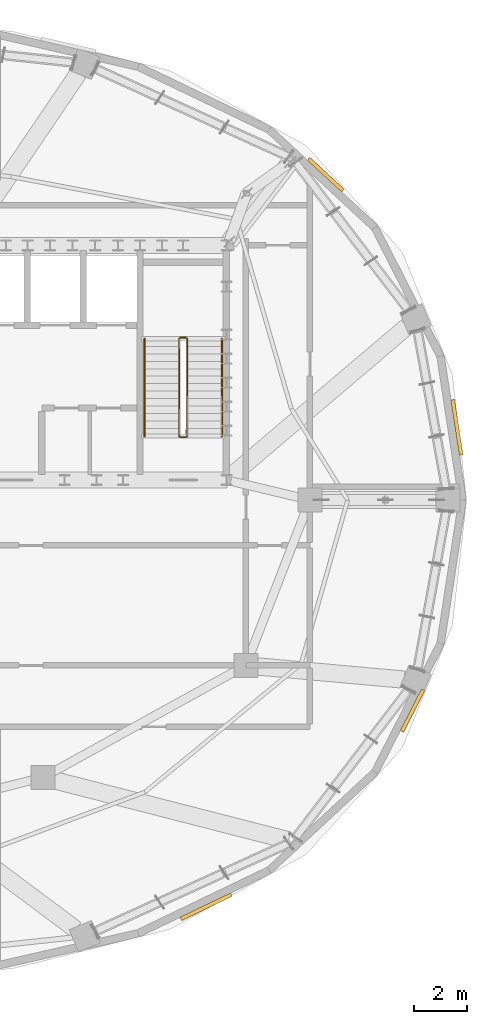
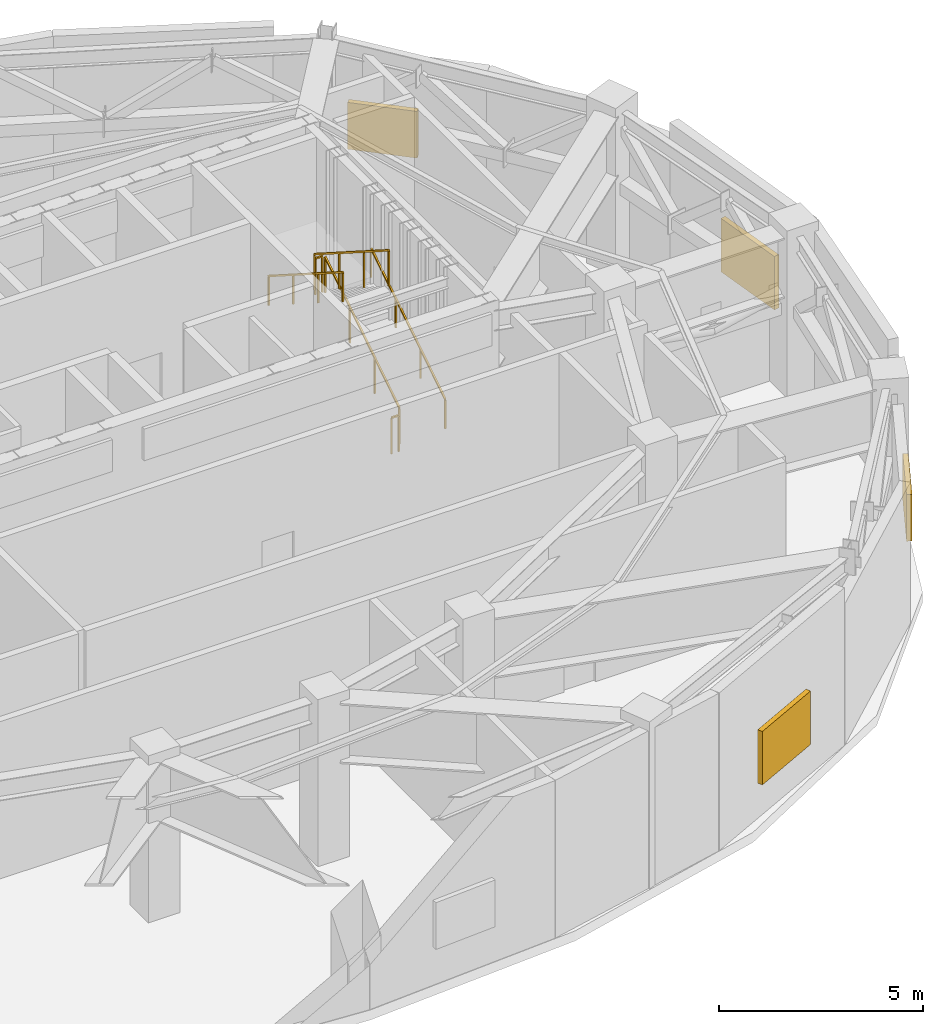
# One storey, part 14 of 15: 6 railings, 4 shading devices.
"""IFC4 building model written with IfcOpenShell, lengths in metres."""

from ifc_helpers import new_model, si_unit, direction, frame, origin, origin_2d, place, context, subcontext, project, spatial, rectangle, extrude, material, type_object, element, save


model = new_model("IFC4")

# Units and contexts
model_context = context("Model", 3, precision=1e-05, world=origin(), true_north=direction((0.0, 1.0)))
body_context = subcontext(model_context, "Body", "Model", "MODEL_VIEW")
ifc_project = project(units=[si_unit("LENGTHUNIT", "METRE"), si_unit("AREAUNIT", "SQUARE_METRE"), si_unit("VOLUMEUNIT", "CUBIC_METRE"), si_unit("PLANEANGLEUNIT", "RADIAN"), si_unit("MASSUNIT", "GRAM", prefix="KILO")], contexts=[model_context])

# Site, building, storey
site_placement = place(None, origin())
site = spatial("IfcSite", under=ifc_project, at=site_placement, CompositionType="ELEMENT")
building_placement = place(site_placement, origin())
building = spatial("IfcBuilding", under=site, at=building_placement, Name="Haldorwick Loom Tower", CompositionType="ELEMENT")
storey_placement = place(building_placement, frame((0.0, 0.0, 286.5)))
storey = spatial("IfcBuildingStorey", under=building, at=storey_placement, Name="L77", CompositionType="ELEMENT", Elevation=286.5)

# Railings
ifc_material_1 = material(Name="Steel CSA G40.21 350W", Category="steel")
railing_type_1 = type_object("IfcRailingType", Name="ARC-RLG-GUARD112", PredefinedType="GUARDRAIL", material=ifc_material_1)
railing_1_placement = place(storey_placement, frame((48.60009765625, 28.39990234375, 0.178466796875)))
element("IfcRailing", 1, at=railing_1_placement, inside=storey, type_object=railing_type_1, Name="L77 ST-02 stair guard 1", PredefinedType="GUARDRAIL", context=body_context, shape_type="SweptSolid", body=[
    extrude(rectangle(XDim=0.048095703125, YDim=0.048095703125, at=origin_2d()), frame((0.0, 0.0, 1.076171875), z_axis=(0.0, 0.843127859045, 0.537713132908), x_axis=(-1.0, 0.0, 0.0)), (0.0, 0.0, 1.0), 4.3173828125),
    extrude(rectangle(XDim=0.0419921875, YDim=0.0419921875, at=origin_2d()), origin(), (0.0, 0.0, 1.0), 1.052001953125),
    extrude(rectangle(XDim=0.0419921875, YDim=0.0419921875, at=origin_2d()), frame((0.0, 1.21337890625, 0.77392578125)), (0.0, 0.0, 1.0), 1.052001953125),
    extrude(rectangle(XDim=0.0419921875, YDim=0.0419921875, at=origin_2d()), frame((0.0, 2.4267578125, 1.547607421875)), (0.0, 0.0, 1.0), 1.052001953125),
    extrude(rectangle(XDim=0.0419921875, YDim=0.0419921875, at=origin_2d()), frame((0.0, 3.64013671875, 2.321533203125)), (0.0, 0.0, 1.0), 1.052001953125),
])
railing_2_placement = place(storey_placement, frame((48.550048828125, 32.090087890625, 2.5)))
element("IfcRailing", 2, at=railing_2_placement, inside=storey, type_object=railing_type_1, Name="L77 ST-02 stair guard 2", PredefinedType="GUARDRAIL", context=body_context, shape_type="SweptSolid", body=[
    extrude(rectangle(XDim=0.048095703125, YDim=0.048095703125, at=origin_2d()), frame((0.0, 0.0, 1.076171875), z_axis=(-1.0, 0.0, 0.0), x_axis=(0.0, -1.0, 0.0)), (0.0, 0.0, 1.0), 0.199951171875),
    extrude(rectangle(XDim=0.0419921875, YDim=0.0419921875, at=origin_2d()), origin(), (0.0, 0.0, 1.0), 1.052001953125),
    extrude(rectangle(XDim=0.0419921875, YDim=0.0419921875, at=origin_2d()), frame((-0.199951171875, 0.0, 0.0)), (0.0, 0.0, 1.0), 1.052001953125),
])
railing_3_placement = place(storey_placement, frame((48.300048828125, 32.0400390625, 2.678466796875)))
element("IfcRailing", 3, at=railing_3_placement, inside=storey, type_object=railing_type_1, Name="L77 ST-02 stair guard 3", PredefinedType="GUARDRAIL", context=body_context, shape_type="SweptSolid", body=[
    extrude(rectangle(XDim=0.048095703125, YDim=0.048095703125, at=origin_2d()), frame((0.0, 0.0, 1.076171875), z_axis=(0.0, -0.843127859045, 0.537713132908), x_axis=(1.0, 0.0, 0.0)), (0.0, 0.0, 1.0), 4.3173828125),
    extrude(rectangle(XDim=0.0419921875, YDim=0.0419921875, at=origin_2d()), origin(), (0.0, 0.0, 1.0), 1.052001953125),
    extrude(rectangle(XDim=0.0419921875, YDim=0.0419921875, at=origin_2d()), frame((0.0, -1.21337890625, 0.77392578125)), (0.0, 0.0, 1.0), 1.052001953125),
    extrude(rectangle(XDim=0.0419921875, YDim=0.0419921875, at=origin_2d()), frame((0.0, -2.4267578125, 1.547607421875)), (0.0, 0.0, 1.0), 1.052001953125),
    extrude(rectangle(XDim=0.0419921875, YDim=0.0419921875, at=origin_2d()), frame((0.0, -3.64013671875, 2.321533203125)), (0.0, 0.0, 1.0), 1.052001953125),
])
railing_4_placement = place(storey_placement, frame((48.550048828125, 28.35009765625, 0.0)))
element("IfcRailing", 4, at=railing_4_placement, inside=storey, type_object=railing_type_1, Name="L77 ST-02 stair guard 4", PredefinedType="GUARDRAIL", context=body_context, shape_type="SweptSolid", body=[
    extrude(rectangle(XDim=0.048095703125, YDim=0.048095703125, at=origin_2d()), frame((0.0, 0.0, 1.076171875), z_axis=(-1.0, 0.0, 0.0), x_axis=(0.0, -1.0, 0.0)), (0.0, 0.0, 1.0), 0.199951171875),
    extrude(rectangle(XDim=0.0419921875, YDim=0.0419921875, at=origin_2d()), origin(), (0.0, 0.0, 1.0), 1.052001953125),
    extrude(rectangle(XDim=0.0419921875, YDim=0.0419921875, at=origin_2d()), frame((-0.199951171875, 0.0, 0.0)), (0.0, 0.0, 1.0), 1.052001953125),
])
railing_type_2 = type_object("IfcRailingType", Name="ARC-RLG-HAND092", PredefinedType="HANDRAIL", material=ifc_material_1)
railing_5_placement = place(storey_placement, frame((49.89990234375, 28.39990234375, 0.178466796875)))
element("IfcRailing", 5, at=railing_5_placement, inside=storey, type_object=railing_type_2, Name="L77 ST-02 stair handrail 1", PredefinedType="HANDRAIL", context=body_context, shape_type="SweptSolid", body=[
    extrude(rectangle(XDim=0.048095703125, YDim=0.048095703125, at=origin_2d()), frame((0.0, 0.0, 0.8759765625), z_axis=(0.0, 0.843127859045, 0.537713132908), x_axis=(-1.0, 0.0, 0.0)), (0.0, 0.0, 1.0), 4.3173828125),
    extrude(rectangle(XDim=0.0419921875, YDim=0.0419921875, at=origin_2d()), origin(), (0.0, 0.0, 1.0), 0.851806640625),
    extrude(rectangle(XDim=0.0419921875, YDim=0.0419921875, at=origin_2d()), frame((0.0, 1.21337890625, 0.77392578125)), (0.0, 0.0, 1.0), 0.851806640625),
    extrude(rectangle(XDim=0.0419921875, YDim=0.0419921875, at=origin_2d()), frame((0.0, 2.4267578125, 1.547607421875)), (0.0, 0.0, 1.0), 0.851806640625),
    extrude(rectangle(XDim=0.0419921875, YDim=0.0419921875, at=origin_2d()), frame((0.0, 3.64013671875, 2.321533203125)), (0.0, 0.0, 1.0), 0.851806640625),
])
railing_6_placement = place(storey_placement, frame((47.0, 32.0400390625, 2.678466796875)))
element("IfcRailing", 6, at=railing_6_placement, inside=storey, type_object=railing_type_2, Name="L77 ST-02 stair handrail 2", PredefinedType="HANDRAIL", context=body_context, shape_type="SweptSolid", body=[
    extrude(rectangle(XDim=0.048095703125, YDim=0.048095703125, at=origin_2d()), frame((0.0, 0.0, 0.8759765625), z_axis=(0.0, -0.843127859045, 0.537713132908), x_axis=(1.0, 0.0, 0.0)), (0.0, 0.0, 1.0), 4.3173828125),
    extrude(rectangle(XDim=0.0419921875, YDim=0.0419921875, at=origin_2d()), origin(), (0.0, 0.0, 1.0), 0.851806640625),
    extrude(rectangle(XDim=0.0419921875, YDim=0.0419921875, at=origin_2d()), frame((0.0, -1.21337890625, 0.77392578125)), (0.0, 0.0, 1.0), 0.851806640625),
    extrude(rectangle(XDim=0.0419921875, YDim=0.0419921875, at=origin_2d()), frame((0.0, -2.4267578125, 1.547607421875)), (0.0, 0.0, 1.0), 0.851806640625),
    extrude(rectangle(XDim=0.0419921875, YDim=0.0419921875, at=origin_2d()), frame((0.0, -3.64013671875, 2.321533203125)), (0.0, 0.0, 1.0), 0.851806640625),
])

# Shading devices
ifc_material_2 = material(Name="Extruded Anodized Aluminium Weather Louvre", Category="aluminium")
shading_device_type_1 = type_object("IfcShadingDeviceType", Name="ARC-SHD-LOUVRE", PredefinedType="JALOUSIE", material=ifc_material_2)
for number, where, z_axis, x_axis, name in (
    (7, (58.7119140625, 28.722900390625, 1.050048828125), (0.0, 0.0, 1.0), (-0.151260820247, 0.988493886809, 0.0), "L77 Mechanical Intake Weather Louvre 1"),
    (8, (49.30859375, 10.750732421875, 1.050048828125), (0.0, 0.0, 1.0), (0.901077021322, 0.433659084588, 0.0), "L77 Mechanical Intake Weather Louvre 21"),
):
    element("IfcShadingDevice", number, at=place(storey_placement, frame(where, z_axis=z_axis, x_axis=x_axis)), inside=storey, type_object=shading_device_type_1, Name=name, PredefinedType="JALOUSIE", context=body_context, shape_type="SweptSolid", body=[
        extrude(rectangle(XDim=2.10009765625, YDim=0.139892578125, at=origin_2d()), origin(), (0.0, 0.0, 1.0), 1.60009765625),
    ])
shading_device_type_2 = type_object("IfcShadingDeviceType", Name="ARC-SHD-LOUVRE2", PredefinedType="JALOUSIE", material=ifc_material_2)
for number, where, z_axis, x_axis, name in (
    (9, (53.794189453125, 38.195068359375, 1.150146484375), (0.0, 0.0, 1.0), (-0.733729864503, 0.679441304262, 0.0), "L77 Mechanical Intake Weather Louvre 3"),
    (10, (57.05078125, 18.11279296875, 1.150146484375), (0.0, 0.0, 1.0), (0.45399049974, 0.891006524188, 0.0), "L77 Mechanical Intake Weather Louvre 23"),
):
    element("IfcShadingDevice", number, at=place(storey_placement, frame(where, z_axis=z_axis, x_axis=x_axis)), inside=storey, type_object=shading_device_type_2, Name=name, PredefinedType="JALOUSIE", context=body_context, shape_type="SweptSolid", body=[
        extrude(rectangle(XDim=1.75, YDim=0.139892578125, at=origin_2d()), origin(), (0.0, 0.0, 1.0), 1.39990234375),
    ])

save(model, "model.ifc")
